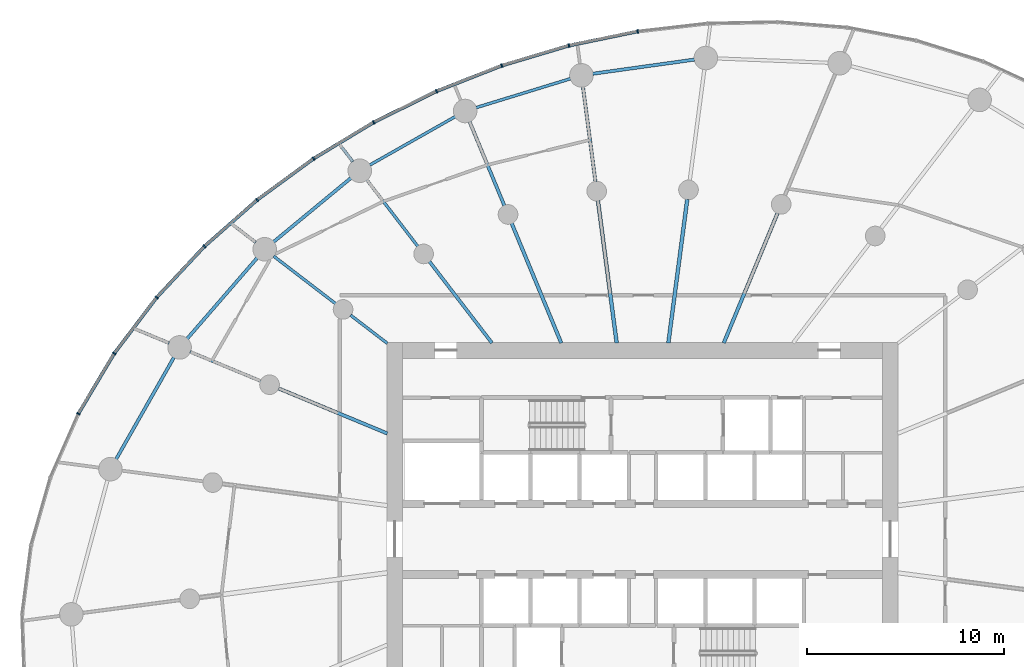
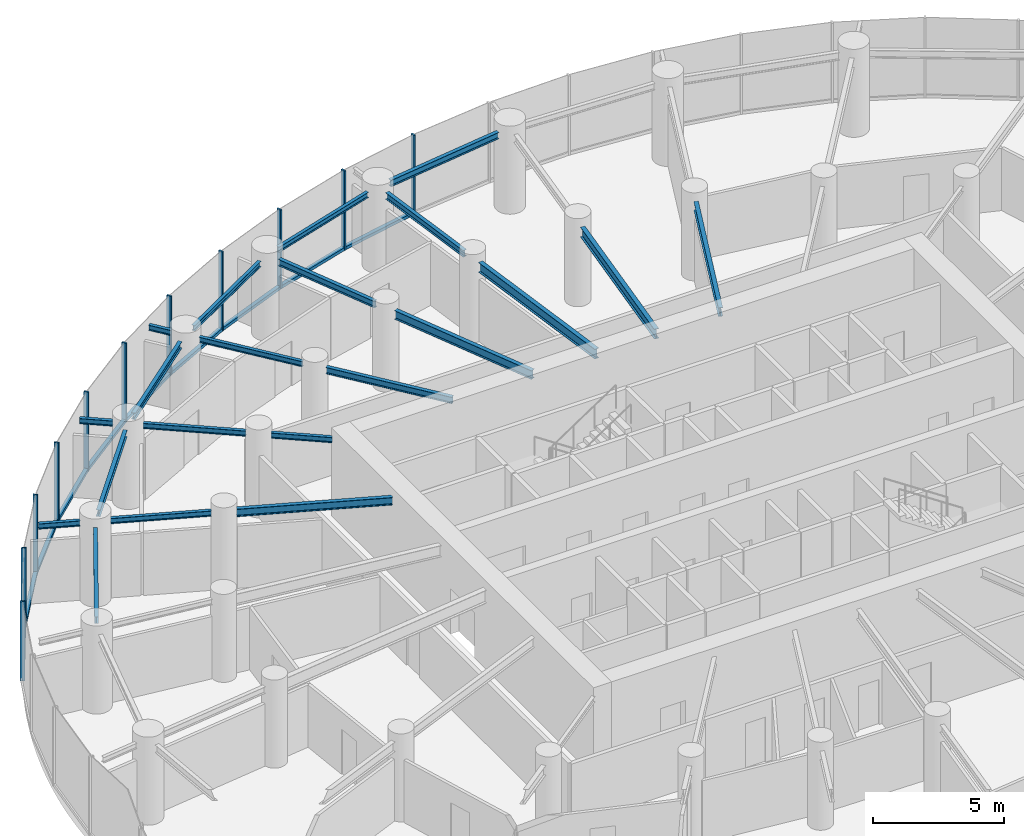
# One storey, part 6 of 17: 21 beams, 21 members, 3 elements without a shape of their own.
"""IFC4 building model written with IfcOpenShell, lengths in metres."""

from ifc_helpers import new_model, si_unit, direction, frame, origin, origin_2d, place, context, subcontext, project, spatial, rectangle, i_section, extrude, source, transform, mapped, material, layer, layer_set, material_profile, profile_set, type_object, element, aggregate, save


model = new_model("IFC4")

# Units and contexts
model_context = context("Model", 3, precision=1e-05, world=origin(), true_north=direction((0.0, 1.0)))
body_context = subcontext(model_context, "Body", "Model", "MODEL_VIEW")
ifc_project = project(units=[si_unit("LENGTHUNIT", "METRE"), si_unit("AREAUNIT", "SQUARE_METRE"), si_unit("VOLUMEUNIT", "CUBIC_METRE"), si_unit("PLANEANGLEUNIT", "RADIAN"), si_unit("MASSUNIT", "GRAM", prefix="KILO")], contexts=[model_context])

# Site, building, storey
site_placement = place(None, origin())
site = spatial("IfcSite", under=ifc_project, at=site_placement, CompositionType="ELEMENT")
building_placement = place(site_placement, origin())
building = spatial("IfcBuilding", under=site, at=building_placement, Name="Spindrift Exchange Tower", CompositionType="ELEMENT")
storey_placement = place(building_placement, frame((0.0, 0.0, 88.0)))
storey = spatial("IfcBuildingStorey", under=building, at=storey_placement, Name="L20", CompositionType="ELEMENT", Elevation=88.0)

# Beams
ifc_material_1 = material(Name="Steel Grade 300", Category="steel")
ifc_material_profile_1 = material_profile(ifc_material_1, i_section(OverallWidth=0.177978515625, OverallDepth=0.406005859375, WebThickness=0.0078125, FlangeThickness=0.0126953125, FilletRadius=0.013916015625, at=origin_2d()), Name="410UB59.7")
ifc_profile_set_1 = profile_set([ifc_material_profile_1], Name="Steel Grade 300")
beam_type_1 = type_object("IfcBeamType", Name="Floor Beam 410UB59.7 Steel Grade 300", PredefinedType="BEAM", material=ifc_profile_set_1)
shared_shape_1 = source(origin(), body_context, "Body", "SweptSolid", [
    extrude(i_section(OverallWidth=0.177978515625, OverallDepth=0.406005859375, WebThickness=0.0078125, FlangeThickness=0.0126953125, FilletRadius=0.013916015625, at=origin_2d()), origin(), (0.0, 0.0, 1.0), 7.150634765625),
])
beam_1_placement = place(storey_placement, frame((56.134521484375, 57.9814453125, 3.4970703125), z_axis=(0.382665393358, 0.923887004306, 0.0), x_axis=(-0.923887004306, 0.382665393358, 0.0)))
element("IfcBeam", 1, at=beam_1_placement, inside=storey, type_object=beam_type_1, Name="L20 radial beam R05A", PredefinedType="BEAM", context=body_context, shape_type="MappedRepresentation", body=[
    mapped(shared_shape_1, transform((0.0, 0.0, 0.0), scale=1.0)),
])
ifc_material_profile_2 = material_profile(ifc_material_1, i_section(OverallWidth=0.18994140625, OverallDepth=0.45703125, WebThickness=0.009033203125, FlangeThickness=0.014404296875, FilletRadius=0.013916015625, at=origin_2d()), Name="460UB74.6")
ifc_profile_set_2 = profile_set([ifc_material_profile_2], Name="Steel Grade 300")
beam_type_2 = type_object("IfcBeamType", Name="Floor Beam 460UB74.6 Steel Grade 300", PredefinedType="BEAM", material=ifc_profile_set_2)
shared_shape_2 = source(origin(), body_context, "Body", "SweptSolid", [
    extrude(i_section(OverallWidth=0.18994140625, OverallDepth=0.45703125, WebThickness=0.009033203125, FlangeThickness=0.014404296875, FilletRadius=0.013916015625, at=origin_2d()), origin(), (0.0, 0.0, 1.0), 7.374267578125),
])
beam_2_placement = place(storey_placement, frame((53.31396484375, 57.980224609375, 3.471435546875), z_axis=(0.130539295622, 0.99144313619, 0.0), x_axis=(-0.99144313619, 0.130539295622, 0.0)))
element("IfcBeam", 2, at=beam_2_placement, inside=storey, type_object=beam_type_2, Name="L20 radial beam R06A", PredefinedType="BEAM", context=body_context, shape_type="MappedRepresentation", body=[
    mapped(shared_shape_2, transform((0.0, 0.0, 0.0), scale=1.0)),
])
shared_shape_3 = source(origin(), body_context, "Body", "SweptSolid", [
    extrude(i_section(OverallWidth=0.18994140625, OverallDepth=0.45703125, WebThickness=0.009033203125, FlangeThickness=0.014404296875, FilletRadius=0.013916015625, at=origin_2d()), origin(), (0.0, 0.0, 1.0), 7.3095703125),
])
beam_3_placement = place(storey_placement, frame((50.68603515625, 57.980224609375, 3.471435546875), z_axis=(-0.130527087244, 0.991444743541, 0.0), x_axis=(-0.991444743541, -0.130527087244, 0.0)))
element("IfcBeam", 3, at=beam_3_placement, inside=storey, type_object=beam_type_2, Name="L20 radial beam R07A", PredefinedType="BEAM", context=body_context, shape_type="MappedRepresentation", body=[
    mapped(shared_shape_3, transform((0.0, 0.0, 0.0), scale=1.0)),
])
shared_shape_4 = source(origin(), body_context, "Body", "SweptSolid", [
    extrude(i_section(OverallWidth=0.177978515625, OverallDepth=0.406005859375, WebThickness=0.0078125, FlangeThickness=0.0126953125, FilletRadius=0.013916015625, at=origin_2d()), origin(), (0.0, 0.0, 1.0), 6.594482421875),
])
beam_4_placement = place(storey_placement, frame((47.865478515625, 57.9814453125, 3.4970703125), z_axis=(-0.382692929746, 0.92387559851, 0.0), x_axis=(-0.92387559851, -0.382692929746, 0.0)))
element("IfcBeam", 4, at=beam_4_placement, inside=storey, type_object=beam_type_1, Name="L20 radial beam R08A", PredefinedType="BEAM", context=body_context, shape_type="MappedRepresentation", body=[
    mapped(shared_shape_4, transform((0.0, 0.0, 0.0), scale=1.0)),
])
ifc_material_profile_3 = material_profile(ifc_material_1, i_section(OverallWidth=0.1650390625, OverallDepth=0.303955078125, WebThickness=0.006103515625, FlangeThickness=0.01025390625, FilletRadius=0.011474609375, at=origin_2d()), Name="310UB40.4")
ifc_profile_set_3 = profile_set([ifc_material_profile_3], Name="Steel Grade 300")
beam_type_3 = type_object("IfcBeamType", Name="Floor Beam 310UB40.4 Steel Grade 300", PredefinedType="BEAM", material=ifc_profile_set_3)
shared_shape_5 = source(origin(), body_context, "Body", "SweptSolid", [
    extrude(i_section(OverallWidth=0.1650390625, OverallDepth=0.303955078125, WebThickness=0.006103515625, FlangeThickness=0.01025390625, FilletRadius=0.011474609375, at=origin_2d()), origin(), (0.0, 0.0, 1.0), 5.224609375),
])
beam_5_placement = place(storey_placement, frame((44.3388671875, 57.984130859375, 3.548095703125), z_axis=(-0.608741499316, 0.793368632485, 0.0), x_axis=(-0.793368632485, -0.608741499316, 0.0)))
element("IfcBeam", 5, at=beam_5_placement, inside=storey, type_object=beam_type_3, Name="L20 radial beam R09A", PredefinedType="BEAM", context=body_context, shape_type="MappedRepresentation", body=[
    mapped(shared_shape_5, transform((0.0, 0.0, 0.0), scale=1.0)),
])
ifc_material_profile_4 = material_profile(ifc_material_1, i_section(OverallWidth=0.14599609375, OverallDepth=0.251953125, WebThickness=0.006103515625, FlangeThickness=0.008544921875, FilletRadius=0.011962890625, at=origin_2d()), Name="250UB31.4")
ifc_profile_set_4 = profile_set([ifc_material_profile_4], Name="Steel Grade 300")
beam_type_4 = type_object("IfcBeamType", Name="Floor Beam 250UB31.4 Steel Grade 300", PredefinedType="BEAM", material=ifc_profile_set_4)
shared_shape_6 = source(origin(), body_context, "Body", "SweptSolid", [
    extrude(i_section(OverallWidth=0.14599609375, OverallDepth=0.251953125, WebThickness=0.006103515625, FlangeThickness=0.008544921875, FilletRadius=0.011962890625, at=origin_2d()), origin(), (0.0, 0.0, 1.0), 2.353759765625),
])
beam_6_placement = place(storey_placement, frame((39.015869140625, 57.963134765625, 3.573974609375), z_axis=(-0.793367573265, 0.608742879787, 0.0), x_axis=(-0.608742879787, -0.793367573265, 0.0)))
element("IfcBeam", 6, at=beam_6_placement, inside=storey, type_object=beam_type_4, Name="L20 radial beam R10A", PredefinedType="BEAM", context=body_context, shape_type="MappedRepresentation", body=[
    mapped(shared_shape_6, transform((0.0, 0.0, 0.0), scale=1.0)),
])
ifc_material_profile_5 = material_profile(ifc_material_1, i_section(OverallWidth=0.172119140625, OverallDepth=0.35888671875, WebThickness=0.008056640625, FlangeThickness=0.012939453125, FilletRadius=0.013916015625, at=origin_2d()), Name="360UB56.7")
ifc_profile_set_5 = profile_set([ifc_material_profile_5], Name="Steel Grade 300")
beam_type_5 = type_object("IfcBeamType", Name="Floor Beam 360UB56.7 Steel Grade 300", PredefinedType="BEAM", material=ifc_profile_set_5)
shared_shape_7 = source(origin(), body_context, "Body", "SweptSolid", [
    extrude(i_section(OverallWidth=0.172119140625, OverallDepth=0.35888671875, WebThickness=0.008056640625, FlangeThickness=0.012939453125, FilletRadius=0.013916015625, at=origin_2d()), origin(), (0.0, 0.0, 1.0), 6.004638671875),
])
beam_7_placement = place(storey_placement, frame((39.0185546875, 53.377197265625, 3.5205078125), z_axis=(-0.923882044911, 0.38267736684, 0.0), x_axis=(-0.38267736684, -0.923882044911, 0.0)))
element("IfcBeam", 7, at=beam_7_placement, inside=storey, type_object=beam_type_5, Name="L20 radial beam R11A", PredefinedType="BEAM", context=body_context, shape_type="MappedRepresentation", body=[
    mapped(shared_shape_7, transform((0.0, 0.0, 0.0), scale=1.0)),
])
shared_shape_8 = source(origin(), body_context, "Body", "SweptSolid", [
    extrude(i_section(OverallWidth=0.1650390625, OverallDepth=0.303955078125, WebThickness=0.006103515625, FlangeThickness=0.01025390625, FilletRadius=0.011474609375, at=origin_2d()), origin(), (0.0, 0.0, 1.0), 4.883056640625),
])
beam_8_placement = place(storey_placement, frame((49.606689453125, 66.17919921875, 3.548095703125), z_axis=(-0.130542457964, 0.991442719812, 0.0), x_axis=(-0.991442719812, -0.130542457964, 0.0)))
element("IfcBeam", 8, at=beam_8_placement, inside=storey, type_object=beam_type_3, Name="L20 radial beam R07B", PredefinedType="BEAM", context=body_context, shape_type="MappedRepresentation", body=[
    mapped(shared_shape_8, transform((0.0, 0.0, 0.0), scale=1.0)),
])
shared_shape_9 = source(origin(), body_context, "Body", "SweptSolid", [
    extrude(i_section(OverallWidth=0.1650390625, OverallDepth=0.303955078125, WebThickness=0.006103515625, FlangeThickness=0.01025390625, FilletRadius=0.011474609375, at=origin_2d()), origin(), (0.0, 0.0, 1.0), 4.63671875),
])
beam_9_placement = place(storey_placement, frame((44.974609375, 64.9609375, 3.548095703125), z_axis=(-0.382692818086, 0.923875644763, 0.0), x_axis=(-0.923875644763, -0.382692818086, 0.0)))
element("IfcBeam", 9, at=beam_9_placement, inside=storey, type_object=beam_type_3, Name="L20 radial beam R08B", PredefinedType="BEAM", context=body_context, shape_type="MappedRepresentation", body=[
    mapped(shared_shape_9, transform((0.0, 0.0, 0.0), scale=1.0)),
])
shared_shape_10 = source(origin(), body_context, "Body", "SweptSolid", [
    extrude(i_section(OverallWidth=0.14599609375, OverallDepth=0.251953125, WebThickness=0.006103515625, FlangeThickness=0.008544921875, FilletRadius=0.011962890625, at=origin_2d()), origin(), (0.0, 0.0, 1.0), 4.27587890625),
])
beam_10_placement = place(storey_placement, frame((40.573974609375, 62.890625, 3.573974609375), z_axis=(-0.608725184746, 0.793381150177, 0.0), x_axis=(-0.793381150177, -0.608725184746, 0.0)))
element("IfcBeam", 10, at=beam_10_placement, inside=storey, type_object=beam_type_4, Name="L20 radial beam R09B", PredefinedType="BEAM", context=body_context, shape_type="MappedRepresentation", body=[
    mapped(shared_shape_10, transform((0.0, 0.0, 0.0), scale=1.0)),
])
shared_shape_11 = source(origin(), body_context, "Body", "SweptSolid", [
    extrude(i_section(OverallWidth=0.14599609375, OverallDepth=0.251953125, WebThickness=0.006103515625, FlangeThickness=0.008544921875, FilletRadius=0.011962890625, at=origin_2d()), origin(), (0.0, 0.0, 1.0), 3.966064453125),
])
beam_11_placement = place(storey_placement, frame((36.38671875, 59.98046875, 3.573974609375), z_axis=(-0.79336256318, 0.608749409318, 0.0), x_axis=(-0.608749409318, -0.79336256318, 0.0)))
element("IfcBeam", 11, at=beam_11_placement, inside=storey, type_object=beam_type_4, Name="L20 radial beam R10B", PredefinedType="BEAM", context=body_context, shape_type="MappedRepresentation", body=[
    mapped(shared_shape_11, transform((0.0, 0.0, 0.0), scale=1.0)),
])
shared_shape_12 = source(origin(), body_context, "Body", "SweptSolid", [
    extrude(i_section(OverallWidth=0.14599609375, OverallDepth=0.251953125, WebThickness=0.006103515625, FlangeThickness=0.008544921875, FilletRadius=0.011962890625, at=origin_2d()), origin(), (0.0, 0.0, 1.0), 3.892333984375),
])
beam_12_placement = place(storey_placement, frame((32.583984375, 56.04248046875, 3.573974609375), z_axis=(-0.923878458273, 0.382686025794, 0.0), x_axis=(-0.382686025794, -0.923878458273, 0.0)))
element("IfcBeam", 12, at=beam_12_placement, inside=storey, type_object=beam_type_4, Name="L20 radial beam R11B", PredefinedType="BEAM", context=body_context, shape_type="MappedRepresentation", body=[
    mapped(shared_shape_12, transform((0.0, 0.0, 0.0), scale=1.0)),
])
ifc_material_profile_6 = material_profile(ifc_material_1, i_section(OverallWidth=0.1650390625, OverallDepth=0.303955078125, WebThickness=0.006103515625, FlangeThickness=0.01025390625, FilletRadius=0.011474609375, at=origin_2d()), Name="310UB40.4")
ifc_profile_set_6 = profile_set([ifc_material_profile_6], Name="Steel Grade 300")
beam_type_6 = type_object("IfcBeamType", Name="Edge Beam 310UB40.4 Steel Grade 300", PredefinedType="SPANDREL", material=ifc_profile_set_6)
shared_shape_13 = source(origin(), body_context, "Body", "SweptSolid", [
    extrude(i_section(OverallWidth=0.1650390625, OverallDepth=0.303955078125, WebThickness=0.006103515625, FlangeThickness=0.01025390625, FilletRadius=0.011474609375, at=origin_2d()), origin(), (0.0, 0.0, 1.0), 5.22998046875),
])
beam_13_placement = place(storey_placement, frame((54.64794921875, 72.396728515625, 3.548095703125), z_axis=(-0.990440078597, -0.137943650481, 0.0), x_axis=(0.137943650481, -0.990440078597, 0.0)))
element("IfcBeam", 13, at=beam_13_placement, inside=storey, type_object=beam_type_6, Name="L20 edge beam E06", PredefinedType="SPANDREL", context=body_context, shape_type="MappedRepresentation", body=[
    mapped(shared_shape_13, transform((0.0, 0.0, 0.0), scale=1.0)),
])
ifc_material_profile_7 = material_profile(ifc_material_1, i_section(OverallWidth=0.14599609375, OverallDepth=0.251953125, WebThickness=0.006103515625, FlangeThickness=0.008544921875, FilletRadius=0.011962890625, at=origin_2d()), Name="250UB31.4")
ifc_profile_set_7 = profile_set([ifc_material_profile_7], Name="Steel Grade 300")
beam_type_7 = type_object("IfcBeamType", Name="Edge Beam 250UB31.4 Steel Grade 300", PredefinedType="SPANDREL", material=ifc_profile_set_7)
shared_shape_14 = source(origin(), body_context, "Body", "SweptSolid", [
    extrude(i_section(OverallWidth=0.14599609375, OverallDepth=0.251953125, WebThickness=0.006103515625, FlangeThickness=0.008544921875, FilletRadius=0.011962890625, at=origin_2d()), origin(), (0.0, 0.0, 1.0), 5.027587890625),
])
beam_14_placement = place(storey_placement, frame((48.339111328125, 71.42529296875, 3.573974609375), z_axis=(-0.956018084082, -0.293307727325, 0.0), x_axis=(0.293307727325, -0.956018084082, 0.0)))
element("IfcBeam", 14, at=beam_14_placement, inside=storey, type_object=beam_type_7, Name="L20 edge beam E07", PredefinedType="SPANDREL", context=body_context, shape_type="MappedRepresentation", body=[
    mapped(shared_shape_14, transform((0.0, 0.0, 0.0), scale=1.0)),
])
shared_shape_15 = source(origin(), body_context, "Body", "SweptSolid", [
    extrude(i_section(OverallWidth=0.14599609375, OverallDepth=0.251953125, WebThickness=0.006103515625, FlangeThickness=0.008544921875, FilletRadius=0.011962890625, at=origin_2d()), origin(), (0.0, 0.0, 1.0), 5.0009765625),
])
beam_15_placement = place(storey_placement, frame((42.4736328125, 69.494384765625, 3.573974609375), z_axis=(-0.870045916697, -0.492970691663, 0.0), x_axis=(0.492970691663, -0.870045916697, 0.0)))
element("IfcBeam", 15, at=beam_15_placement, inside=storey, type_object=beam_type_7, Name="L20 edge beam E08", PredefinedType="SPANDREL", context=body_context, shape_type="MappedRepresentation", body=[
    mapped(shared_shape_15, transform((0.0, 0.0, 0.0), scale=1.0)),
])
shared_shape_16 = source(origin(), body_context, "Body", "SweptSolid", [
    extrude(i_section(OverallWidth=0.1650390625, OverallDepth=0.303955078125, WebThickness=0.006103515625, FlangeThickness=0.01025390625, FilletRadius=0.011474609375, at=origin_2d()), origin(), (0.0, 0.0, 1.0), 5.114501953125),
])
beam_16_placement = place(storey_placement, frame((37.1708984375, 66.373779296875, 3.548095703125), z_axis=(-0.771073837992, -0.63674573918, 0.0), x_axis=(0.63674573918, -0.771073837992, 0.0)))
element("IfcBeam", 16, at=beam_16_placement, inside=storey, type_object=beam_type_6, Name="L20 edge beam E09", PredefinedType="SPANDREL", context=body_context, shape_type="MappedRepresentation", body=[
    mapped(shared_shape_16, transform((0.0, 0.0, 0.0), scale=1.0)),
])
shared_shape_17 = source(origin(), body_context, "Body", "SweptSolid", [
    extrude(i_section(OverallWidth=0.1650390625, OverallDepth=0.303955078125, WebThickness=0.006103515625, FlangeThickness=0.01025390625, FilletRadius=0.011474609375, at=origin_2d()), origin(), (0.0, 0.0, 1.0), 5.448486328125),
])
beam_17_placement = place(storey_placement, frame((32.400390625, 62.3095703125, 3.548095703125), z_axis=(-0.654922008827, -0.755696475018, 0.0), x_axis=(0.755696475018, -0.654922008827, 0.0)))
element("IfcBeam", 17, at=beam_17_placement, inside=storey, type_object=beam_type_6, Name="L20 edge beam E10", PredefinedType="SPANDREL", context=body_context, shape_type="MappedRepresentation", body=[
    mapped(shared_shape_17, transform((0.0, 0.0, 0.0), scale=1.0)),
])
shared_shape_18 = source(origin(), body_context, "Body", "SweptSolid", [
    extrude(i_section(OverallWidth=0.1650390625, OverallDepth=0.303955078125, WebThickness=0.006103515625, FlangeThickness=0.01025390625, FilletRadius=0.011474609375, at=origin_2d()), origin(), (0.0, 0.0, 1.0), 5.9599609375),
])
beam_18_placement = place(storey_placement, frame((28.165771484375, 57.24951171875, 3.548095703125), z_axis=(-0.493940434745, -0.869495742901, 0.0), x_axis=(0.869495742901, -0.493940434745, 0.0)))
element("IfcBeam", 18, at=beam_18_placement, inside=storey, type_object=beam_type_6, Name="L20 edge beam E11", PredefinedType="SPANDREL", context=body_context, shape_type="MappedRepresentation", body=[
    mapped(shared_shape_18, transform((0.0, 0.0, 0.0), scale=1.0)),
])
ifc_material_profile_8 = material_profile(ifc_material_1, i_section(OverallWidth=0.14599609375, OverallDepth=0.251953125, WebThickness=0.006103515625, FlangeThickness=0.008544921875, FilletRadius=0.011962890625, at=origin_2d()), Name="250UB31.4")
ifc_profile_set_8 = profile_set([ifc_material_profile_8], Name="Steel Grade 300")
beam_type_8 = type_object("IfcBeamType", Name="Cantilever Beam 250UB31.4 Steel Grade 300", PredefinedType="BEAM", material=ifc_profile_set_8)
shared_shape_19 = source(origin(), body_context, "Body", "SweptSolid", [
    extrude(i_section(OverallWidth=0.14599609375, OverallDepth=0.251953125, WebThickness=0.006103515625, FlangeThickness=0.008544921875, FilletRadius=0.011962890625, at=origin_2d()), origin(), (0.0, 0.0, 1.0), 0.920166015625),
])
beam_19_placement = place(storey_placement, frame((37.264892578125, 67.203125, 3.573974609375), z_axis=(-0.608877027985, 0.793264624695, 0.0), x_axis=(-0.793264624695, -0.608877027985, 0.0)))
element("IfcBeam", 19, at=beam_19_placement, inside=storey, type_object=beam_type_8, Name="L20 cantilever beam R09T", PredefinedType="BEAM", context=body_context, shape_type="MappedRepresentation", body=[
    mapped(shared_shape_19, transform((0.0, 0.0, 0.0), scale=1.0)),
])
shared_shape_20 = source(origin(), body_context, "Body", "SweptSolid", [
    extrude(i_section(OverallWidth=0.14599609375, OverallDepth=0.251953125, WebThickness=0.006103515625, FlangeThickness=0.008544921875, FilletRadius=0.011962890625, at=origin_2d()), origin(), (0.0, 0.0, 1.0), 1.286376953125),
])
beam_20_placement = place(storey_placement, frame((32.320068359375, 63.10107421875, 3.573974609375), z_axis=(-0.793392464153, 0.608710438406, 0.0), x_axis=(-0.608710438406, -0.793392464153, 0.0)))
element("IfcBeam", 20, at=beam_20_placement, inside=storey, type_object=beam_type_8, Name="L20 cantilever beam R10T", PredefinedType="BEAM", context=body_context, shape_type="MappedRepresentation", body=[
    mapped(shared_shape_20, transform((0.0, 0.0, 0.0), scale=1.0)),
])
shared_shape_21 = source(origin(), body_context, "Body", "SweptSolid", [
    extrude(i_section(OverallWidth=0.14599609375, OverallDepth=0.251953125, WebThickness=0.006103515625, FlangeThickness=0.008544921875, FilletRadius=0.011962890625, at=origin_2d()), origin(), (0.0, 0.0, 1.0), 1.614013671875),
])
beam_21_placement = place(storey_placement, frame((27.91650390625, 57.975830078125, 3.573974609375), z_axis=(-0.923880411625, 0.382681309989, 0.0), x_axis=(-0.382681309989, -0.923880411625, 0.0)))
element("IfcBeam", 21, at=beam_21_placement, inside=storey, type_object=beam_type_8, Name="L20 cantilever beam R11T", PredefinedType="BEAM", context=body_context, shape_type="MappedRepresentation", body=[
    mapped(shared_shape_21, transform((0.0, 0.0, 0.0), scale=1.0)),
])

# Curtain wall, members
ifc_material_2 = material(Name="Fritted laminated glass with bronze frame", Category="glass")
ifc_layer = layer(ifc_material_2, 0.18994140625)
ifc_layer_set = layer_set([ifc_layer], Name="ZONE 2 BRONZE FRITTED WALL")
curtain_wall_type = type_object("IfcCurtainWallType", Name="ZONE 2 BRONZE FRITTED WALL", PredefinedType="NOTDEFINED", material=ifc_layer_set)
curtain_wall_1_placement = place(storey_placement, origin())
curtain_wall_1 = element("IfcCurtainWall", 22, at=curtain_wall_1_placement, inside=storey, type_object=curtain_wall_type, Name="L20 Zone 2 Bronze Fritted Wall run 2", PredefinedType="NOTDEFINED")
ifc_material_3 = material(Name="Bronze anodised aluminium", Category="aluminium")
ifc_material_profile_9 = material_profile(ifc_material_3, rectangle(XDim=0.074951171875, YDim=0.18994140625, at=origin_2d()), Name="ZONE 2 BRONZE FRITTED WALL MULLION 75X190")
ifc_profile_set_9 = profile_set([ifc_material_profile_9], Name="Bronze anodised aluminium")
member_type_1 = type_object("IfcMemberType", Name="ZONE 2 BRONZE FRITTED WALL MULLION 75X190", PredefinedType="MULLION", material=ifc_profile_set_9)
shared_shape_22 = source(origin(), body_context, "Body", "SweptSolid", [
    extrude(rectangle(XDim=0.074951171875, YDim=0.18994140625, at=origin_2d()), origin(), (0.0, 0.0, 1.0), 3.699951171875),
])
member_1_placement = place(storey_placement, frame((51.751220703125, 73.831787109375, 0.0), z_axis=(0.0, 0.0, 1.0), x_axis=(-0.987390146474, -0.158305712612, 0.0)))
member_1 = element("IfcMember", 23, at=member_1_placement, type_object=member_type_1, Name="L20 mullion CW-2.11", PredefinedType="MULLION", context=body_context, shape_type="MappedRepresentation", body=[
    mapped(shared_shape_22, transform((0.0, 0.0, 0.0), scale=1.0)),
])
member_2_placement = place(storey_placement, frame((48.25830078125, 73.11083984375, 0.0), z_axis=(0.0, 0.0, 1.0), x_axis=(-0.969735840103, -0.244156508044, 0.0)))
member_2 = element("IfcMember", 24, at=member_2_placement, type_object=member_type_1, Name="L20 mullion CW-2.12", PredefinedType="MULLION", context=body_context, shape_type="MappedRepresentation", body=[
    mapped(shared_shape_22, transform((0.0, 0.0, 0.0), scale=1.0)),
])

curtain_wall_2_placement = place(storey_placement, origin())
curtain_wall_2 = element("IfcCurtainWall", 25, at=curtain_wall_2_placement, inside=storey, type_object=curtain_wall_type, Name="L20 Zone 2 Bronze Fritted Wall run 3", PredefinedType="NOTDEFINED")
member_3_placement = place(storey_placement, frame((44.84033203125, 72.091796875, 0.0), z_axis=(0.0, 0.0, 1.0), x_axis=(-0.945365122688, -0.326013473349, 0.0)))
member_3 = element("IfcMember", 26, at=member_3_placement, type_object=member_type_1, Name="L20 mullion CW-2.13", PredefinedType="MULLION", context=body_context, shape_type="MappedRepresentation", body=[
    mapped(shared_shape_22, transform((0.0, 0.0, 0.0), scale=1.0)),
])
member_4_placement = place(storey_placement, frame((41.520751953125, 70.787353515625, 0.0), z_axis=(0.0, 0.0, 1.0), x_axis=(-0.91448235796, -0.404625773994, 0.0)))
member_4 = element("IfcMember", 27, at=member_4_placement, type_object=member_type_1, Name="L20 mullion CW-2.14", PredefinedType="MULLION", context=body_context, shape_type="MappedRepresentation", body=[
    mapped(shared_shape_22, transform((0.0, 0.0, 0.0), scale=1.0)),
])
member_5_placement = place(storey_placement, frame((38.32275390625, 69.2080078125, 0.0), z_axis=(0.0, 0.0, 1.0), x_axis=(-0.876927929351, -0.480621895802, 0.0)))
member_5 = element("IfcMember", 28, at=member_5_placement, type_object=member_type_1, Name="L20 mullion CW-2.15", PredefinedType="MULLION", context=body_context, shape_type="MappedRepresentation", body=[
    mapped(shared_shape_22, transform((0.0, 0.0, 0.0), scale=1.0)),
])
member_6_placement = place(storey_placement, frame((35.27099609375, 67.362060546875, 0.0), z_axis=(0.0, 0.0, 1.0), x_axis=(-0.832190417366, -0.554489954143, 0.0)))
member_6 = element("IfcMember", 29, at=member_6_placement, type_object=member_type_1, Name="L20 mullion CW-2.16", PredefinedType="MULLION", context=body_context, shape_type="MappedRepresentation", body=[
    mapped(shared_shape_22, transform((0.0, 0.0, 0.0), scale=1.0)),
])
member_7_placement = place(storey_placement, frame((32.392333984375, 65.256591796875, 0.0), z_axis=(0.0, 0.0, 1.0), x_axis=(-0.779423204348, -0.626497780143, 0.0)))
member_7 = element("IfcMember", 30, at=member_7_placement, type_object=member_type_1, Name="L20 mullion CW-2.17", PredefinedType="MULLION", context=body_context, shape_type="MappedRepresentation", body=[
    mapped(shared_shape_22, transform((0.0, 0.0, 0.0), scale=1.0)),
])
member_8_placement = place(storey_placement, frame((29.717041015625, 62.89794921875, 0.0), z_axis=(0.0, 0.0, 1.0), x_axis=(-0.717416175131, -0.696644838968, 0.0)))
member_8 = element("IfcMember", 31, at=member_8_placement, type_object=member_type_1, Name="L20 mullion CW-2.18", PredefinedType="MULLION", context=body_context, shape_type="MappedRepresentation", body=[
    mapped(shared_shape_22, transform((0.0, 0.0, 0.0), scale=1.0)),
])

curtain_wall_3_placement = place(storey_placement, origin())
curtain_wall_3 = element("IfcCurtainWall", 32, at=curtain_wall_3_placement, inside=storey, type_object=curtain_wall_type, Name="L20 Zone 2 Bronze Fritted Wall run 4", PredefinedType="NOTDEFINED")
member_9_placement = place(storey_placement, frame((27.281005859375, 60.293212890625, 0.0), z_axis=(0.0, 0.0, 1.0), x_axis=(-0.644520279909, -0.764587214637, 0.0)))
member_9 = element("IfcMember", 33, at=member_9_placement, type_object=member_type_1, Name="L20 mullion CW-2.19", PredefinedType="MULLION", context=body_context, shape_type="MappedRepresentation", body=[
    mapped(shared_shape_22, transform((0.0, 0.0, 0.0), scale=1.0)),
])
member_10_placement = place(storey_placement, frame((25.126220703125, 57.451904296875, 0.0), z_axis=(0.0, 0.0, 1.0), x_axis=(-0.55874253479, -0.829341172146, 0.0)))
member_10 = element("IfcMember", 34, at=member_10_placement, type_object=member_type_1, Name="L20 mullion CW-2.20", PredefinedType="MULLION", context=body_context, shape_type="MappedRepresentation", body=[
    mapped(shared_shape_22, transform((0.0, 0.0, 0.0), scale=1.0)),
])
member_11_placement = place(storey_placement, frame((23.302490234375, 54.387939453125, 0.0), z_axis=(0.0, 0.0, 1.0), x_axis=(-0.45779464646, -0.889057963055, 0.0)))
member_11 = element("IfcMember", 35, at=member_11_placement, type_object=member_type_1, Name="L20 mullion CW-2.21", PredefinedType="MULLION", context=body_context, shape_type="MappedRepresentation", body=[
    mapped(shared_shape_22, transform((0.0, 0.0, 0.0), scale=1.0)),
])

# Member
ifc_material_profile_10 = material_profile(ifc_material_3, rectangle(XDim=0.169921875, YDim=0.139892578125, at=origin_2d()), Name="ZONE 2 BRONZE FRITTED WALL TRANSOM 170X140")
ifc_profile_set_10 = profile_set([ifc_material_profile_10], Name="Bronze anodised aluminium")
member_type_2 = type_object("IfcMemberType", Name="ZONE 2 BRONZE FRITTED WALL TRANSOM 170X140", PredefinedType="USERDEFINED", material=ifc_profile_set_10)
shared_shape_23 = source(origin(), body_context, "Body", "SweptSolid", [
    extrude(rectangle(XDim=0.169921875, YDim=0.139892578125, at=origin_2d()), origin(), (0.0, 0.0, 1.0), 3.4912109375),
])
member_12_placement = place(storey_placement, frame((29.69140625, 62.87060546875, 0.070068359375), z_axis=(-0.683075319694, -0.730347936004, 0.0), x_axis=(0.730347936004, -0.683075319694, 0.0)))
member_12 = element("IfcMember", 36, at=member_12_placement, type_object=member_type_2, Name="L20 transom CW-2.18", ObjectType="TRANSOM", PredefinedType="USERDEFINED", context=body_context, shape_type="MappedRepresentation", body=[
    mapped(shared_shape_23, transform((0.0, 0.0, 0.0), scale=1.0)),
])

member_13_placement = place(storey_placement, frame((27.258544921875, 60.263427734375, 0.070068359375), z_axis=(-0.604265561399, -0.796782988842, 0.0), x_axis=(0.796782988842, -0.604265561399, 0.0)))
member_13 = element("IfcMember", 37, at=member_13_placement, type_object=member_type_2, Name="L20 transom CW-2.19", ObjectType="TRANSOM", PredefinedType="USERDEFINED", context=body_context, shape_type="MappedRepresentation", body=[
    mapped(shared_shape_23, transform((0.0, 0.0, 0.0), scale=1.0)),
])

shared_shape_24 = source(origin(), body_context, "Body", "SweptSolid", [
    extrude(rectangle(XDim=0.169921875, YDim=0.139892578125, at=origin_2d()), origin(), (0.0, 0.0, 1.0), 3.49169921875),
])
member_14_placement = place(storey_placement, frame((51.714599609375, 73.82421875, 0.070068359375), z_axis=(-0.979357412522, -0.202136237567, 0.0), x_axis=(0.202136237567, -0.979357412522, 0.0)))
member_14 = element("IfcMember", 38, at=member_14_placement, type_object=member_type_2, Name="L20 transom CW-2.11", ObjectType="TRANSOM", PredefinedType="USERDEFINED", context=body_context, shape_type="MappedRepresentation", body=[
    mapped(shared_shape_24, transform((0.0, 0.0, 0.0), scale=1.0)),
])

member_15_placement = place(storey_placement, frame((48.222412109375, 73.10009765625, 0.070068359375), z_axis=(-0.958321350458, -0.285692473221, 0.0), x_axis=(0.285692473221, -0.958321350458, 0.0)))
member_15 = element("IfcMember", 39, at=member_15_placement, type_object=member_type_2, Name="L20 transom CW-2.12", ObjectType="TRANSOM", PredefinedType="USERDEFINED", context=body_context, shape_type="MappedRepresentation", body=[
    mapped(shared_shape_24, transform((0.0, 0.0, 0.0), scale=1.0)),
])

aggregate(curtain_wall_1, [member_1, member_14, member_2, member_15])

member_16_placement = place(storey_placement, frame((44.805419921875, 72.078125, 0.070068359375), z_axis=(-0.930711544363, -0.365754044667, 0.0), x_axis=(0.365754044667, -0.930711544363, 0.0)))
member_16 = element("IfcMember", 40, at=member_16_placement, type_object=member_type_2, Name="L20 transom CW-2.13", ObjectType="TRANSOM", PredefinedType="USERDEFINED", context=body_context, shape_type="MappedRepresentation", body=[
    mapped(shared_shape_24, transform((0.0, 0.0, 0.0), scale=1.0)),
])

member_17_placement = place(storey_placement, frame((41.487060546875, 70.770751953125, 0.070068359375), z_axis=(-0.896611968139, -0.442817093833, 0.0), x_axis=(0.442817093833, -0.896611968139, 0.0)))
member_17 = element("IfcMember", 41, at=member_17_placement, type_object=member_type_2, Name="L20 transom CW-2.14", ObjectType="TRANSOM", PredefinedType="USERDEFINED", context=body_context, shape_type="MappedRepresentation", body=[
    mapped(shared_shape_24, transform((0.0, 0.0, 0.0), scale=1.0)),
])

member_18_placement = place(storey_placement, frame((38.290771484375, 69.1884765625, 0.070068359375), z_axis=(-0.855692382289, -0.517484827694, 0.0), x_axis=(0.517484827694, -0.855692382289, 0.0)))
member_18 = element("IfcMember", 42, at=member_18_placement, type_object=member_type_2, Name="L20 transom CW-2.15", ObjectType="TRANSOM", PredefinedType="USERDEFINED", context=body_context, shape_type="MappedRepresentation", body=[
    mapped(shared_shape_24, transform((0.0, 0.0, 0.0), scale=1.0)),
])

member_19_placement = place(storey_placement, frame((32.3642578125, 65.231689453125, 0.070068359375), z_axis=(-0.750111217348, -0.66131169777, 0.0), x_axis=(0.66131169777, -0.750111217348, 0.0)))
member_19 = element("IfcMember", 43, at=member_19_placement, type_object=member_type_2, Name="L20 transom CW-2.17", ObjectType="TRANSOM", PredefinedType="USERDEFINED", context=body_context, shape_type="MappedRepresentation", body=[
    mapped(shared_shape_24, transform((0.0, 0.0, 0.0), scale=1.0)),
])

shared_shape_25 = source(origin(), body_context, "Body", "SweptSolid", [
    extrude(rectangle(XDim=0.169921875, YDim=0.139892578125, at=origin_2d()), origin(), (0.0, 0.0, 1.0), 3.49072265625),
])
member_20_placement = place(storey_placement, frame((25.107177734375, 57.419677734375, 0.070068359375), z_axis=(-0.511478941343, -0.859295812025, 0.0), x_axis=(0.859295812025, -0.511478941343, 0.0)))
member_20 = element("IfcMember", 44, at=member_20_placement, type_object=member_type_2, Name="L20 transom CW-2.20", ObjectType="TRANSOM", PredefinedType="USERDEFINED", context=body_context, shape_type="MappedRepresentation", body=[
    mapped(shared_shape_25, transform((0.0, 0.0, 0.0), scale=1.0)),
])

aggregate(curtain_wall_3, [member_9, member_13, member_10, member_20, member_11])

shared_shape_26 = source(origin(), body_context, "Body", "SweptSolid", [
    extrude(rectangle(XDim=0.169921875, YDim=0.139892578125, at=origin_2d()), origin(), (0.0, 0.0, 1.0), 3.491455078125),
])
member_21_placement = place(storey_placement, frame((35.24072265625, 67.33984375, 0.070068359375), z_axis=(-0.807133533285, -0.590368918091, 0.0), x_axis=(0.590368918091, -0.807133533285, 0.0)))
member_21 = element("IfcMember", 45, at=member_21_placement, type_object=member_type_2, Name="L20 transom CW-2.16", ObjectType="TRANSOM", PredefinedType="USERDEFINED", context=body_context, shape_type="MappedRepresentation", body=[
    mapped(shared_shape_26, transform((0.0, 0.0, 0.0), scale=1.0)),
])

aggregate(curtain_wall_2, [member_3, member_16, member_4, member_17, member_5, member_18, member_6, member_21, member_7, member_19, member_8, member_12])

save(model, "model.ifc")
